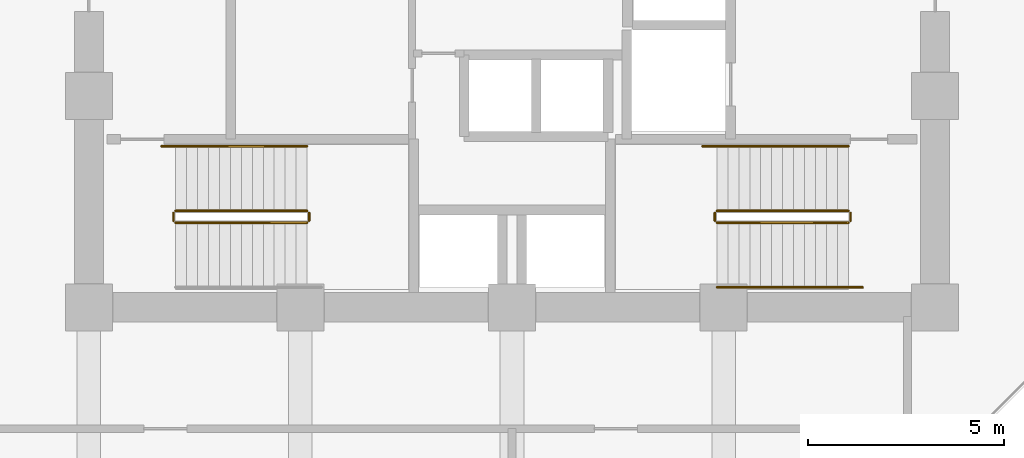
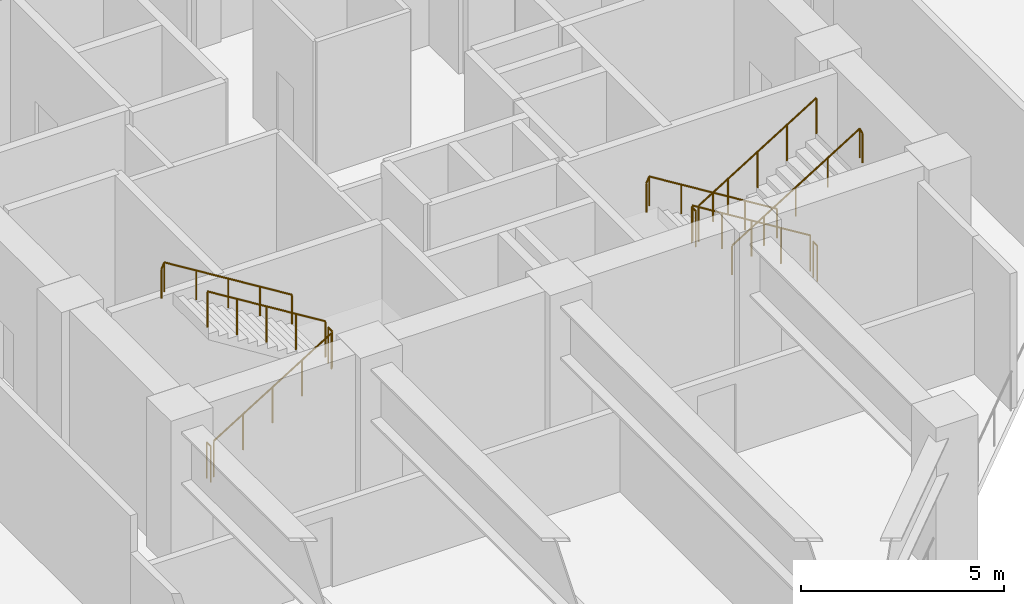
# One storey, part 8 of 12: 11 railings.
"""IFC4 building model written with IfcOpenShell, lengths in metres."""

from ifc_helpers import new_model, si_unit, direction, frame, origin, origin_2d, place, context, subcontext, project, spatial, circle, extrude, material, type_object, element, save


model = new_model("IFC4")

# Units and contexts
model_context = context("Model", 3, precision=1e-05, world=origin(), true_north=direction((0.0, 1.0)))
body_context = subcontext(model_context, "Body", "Model", "MODEL_VIEW")
ifc_project = project(units=[si_unit("LENGTHUNIT", "METRE"), si_unit("AREAUNIT", "SQUARE_METRE"), si_unit("VOLUMEUNIT", "CUBIC_METRE"), si_unit("PLANEANGLEUNIT", "RADIAN"), si_unit("MASSUNIT", "GRAM", prefix="KILO")], contexts=[model_context])

# Site, building, storey
site_placement = place(None, origin())
site = spatial("IfcSite", under=ifc_project, at=site_placement, CompositionType="ELEMENT")
building_placement = place(site_placement, origin())
building = spatial("IfcBuilding", under=site, at=building_placement, Name="Surkhivell Harbour Commons", CompositionType="ELEMENT")
storey_placement = place(building_placement, frame((0.0, 0.0, 78.75)))
storey = spatial("IfcBuildingStorey", under=building, at=storey_placement, Name="L20", CompositionType="ELEMENT", Elevation=78.75)

# Railings
ifc_material_1 = material(Name="Galvanised and painted steel S355 guard rail", Category="steel")
railing_type_1 = type_object("IfcRailingType", Name="RAL-ST-GRD1100", PredefinedType="GUARDRAIL", material=ifc_material_1)
railing_1_placement = place(storey_placement, frame((8.590087890625, -8.340087890625, 0.173095703125)))
element("IfcRailing", 1, at=railing_1_placement, inside=storey, type_object=railing_type_1, Name="L20 ST2 stair guard 1", PredefinedType="GUARDRAIL", context=body_context, shape_type="SweptSolid", body=[
    extrude(circle(Radius=0.02392578125, at=origin_2d()), frame((0.0, 0.0, 1.076171875), z_axis=(-0.850623216509, 0.0, 0.525775754039), x_axis=(0.0, -1.0, 0.0)), (0.0, 0.0, 1.0), 3.9501953125),
    extrude(circle(Radius=0.02099609375, at=origin_2d()), origin(), (0.0, 0.0, 1.0), 1.052001953125),
    extrude(circle(Radius=0.02099609375, at=origin_2d()), frame((-0.840087890625, 0.0, 0.519287109375)), (0.0, 0.0, 1.0), 1.052001953125),
    extrude(circle(Radius=0.02099609375, at=origin_2d()), frame((-1.68017578125, 0.0, 1.03857421875)), (0.0, 0.0, 1.0), 1.052001953125),
    extrude(circle(Radius=0.02099609375, at=origin_2d()), frame((-2.52001953125, 0.0, 1.5576171875)), (0.0, 0.0, 1.0), 1.052001953125),
    extrude(circle(Radius=0.02099609375, at=origin_2d()), frame((-3.360107421875, 0.0, 2.076904296875)), (0.0, 0.0, 1.0), 1.052001953125),
])
railing_2_placement = place(storey_placement, frame((5.179931640625, -8.389892578125, 2.25)))
element("IfcRailing", 2, at=railing_2_placement, inside=storey, type_object=railing_type_1, Name="L20 ST2 stair guard 2", PredefinedType="GUARDRAIL", context=body_context, shape_type="SweptSolid", body=[
    extrude(circle(Radius=0.02392578125, at=origin_2d()), frame((0.0, 0.0, 1.076171875), z_axis=(0.0, -1.0, 0.0), x_axis=(1.0, 0.0, 0.0)), (0.0, 0.0, 1.0), 0.2001953125),
    extrude(circle(Radius=0.02099609375, at=origin_2d()), origin(), (0.0, 0.0, 1.0), 1.052001953125),
    extrude(circle(Radius=0.02099609375, at=origin_2d()), frame((0.0, -0.2001953125, 0.0)), (0.0, 0.0, 1.0), 1.052001953125),
])
railing_3_placement = place(storey_placement, frame((5.22998046875, -8.639892578125, 2.423095703125)))
element("IfcRailing", 3, at=railing_3_placement, inside=storey, type_object=railing_type_1, Name="L20 ST2 stair guard 3", PredefinedType="GUARDRAIL", context=body_context, shape_type="SweptSolid", body=[
    extrude(circle(Radius=0.02392578125, at=origin_2d()), frame((0.0, 0.0, 1.076171875), z_axis=(0.850623216509, 0.0, 0.525775754039), x_axis=(0.0, 1.0, 0.0)), (0.0, 0.0, 1.0), 3.9501953125),
    extrude(circle(Radius=0.02099609375, at=origin_2d()), origin(), (0.0, 0.0, 1.0), 1.052001953125),
    extrude(circle(Radius=0.02099609375, at=origin_2d()), frame((0.840087890625, 0.0, 0.519287109375)), (0.0, 0.0, 1.0), 1.052001953125),
    extrude(circle(Radius=0.02099609375, at=origin_2d()), frame((1.68017578125, 0.0, 1.03857421875)), (0.0, 0.0, 1.0), 1.052001953125),
    extrude(circle(Radius=0.02099609375, at=origin_2d()), frame((2.52001953125, 0.0, 1.5576171875)), (0.0, 0.0, 1.0), 1.052001953125),
    extrude(circle(Radius=0.02099609375, at=origin_2d()), frame((3.360107421875, 0.0, 2.076904296875)), (0.0, 0.0, 1.0), 1.052001953125),
])
railing_4_placement = place(storey_placement, frame((8.639892578125, -8.389892578125, 0.0)))
element("IfcRailing", 4, at=railing_4_placement, inside=storey, type_object=railing_type_1, Name="L20 ST2 stair guard 4", PredefinedType="GUARDRAIL", context=body_context, shape_type="SweptSolid", body=[
    extrude(circle(Radius=0.02392578125, at=origin_2d()), frame((0.0, 0.0, 1.076171875), z_axis=(0.0, -1.0, 0.0), x_axis=(1.0, 0.0, 0.0)), (0.0, 0.0, 1.0), 0.2001953125),
    extrude(circle(Radius=0.02099609375, at=origin_2d()), origin(), (0.0, 0.0, 1.0), 1.052001953125),
    extrude(circle(Radius=0.02099609375, at=origin_2d()), frame((0.0, -0.2001953125, 0.0)), (0.0, 0.0, 1.0), 1.052001953125),
])
railing_5_placement = place(storey_placement, frame((-8.590087890625, -8.639892578125, 0.173095703125)))
element("IfcRailing", 5, at=railing_5_placement, inside=storey, type_object=railing_type_1, Name="L20 ST3 stair guard 1", PredefinedType="GUARDRAIL", context=body_context, shape_type="SweptSolid", body=[
    extrude(circle(Radius=0.02392578125, at=origin_2d()), frame((0.0, 0.0, 1.076171875), z_axis=(0.850623216509, 0.0, 0.525775754039), x_axis=(0.0, 1.0, 0.0)), (0.0, 0.0, 1.0), 3.9501953125),
    extrude(circle(Radius=0.02099609375, at=origin_2d()), origin(), (0.0, 0.0, 1.0), 1.052001953125),
    extrude(circle(Radius=0.02099609375, at=origin_2d()), frame((0.840087890625, 0.0, 0.519287109375)), (0.0, 0.0, 1.0), 1.052001953125),
    extrude(circle(Radius=0.02099609375, at=origin_2d()), frame((1.68017578125, 0.0, 1.03857421875)), (0.0, 0.0, 1.0), 1.052001953125),
    extrude(circle(Radius=0.02099609375, at=origin_2d()), frame((2.52001953125, 0.0, 1.5576171875)), (0.0, 0.0, 1.0), 1.052001953125),
    extrude(circle(Radius=0.02099609375, at=origin_2d()), frame((3.360107421875, 0.0, 2.076904296875)), (0.0, 0.0, 1.0), 1.052001953125),
])
railing_6_placement = place(storey_placement, frame((-5.179931640625, -8.590087890625, 2.25)))
element("IfcRailing", 6, at=railing_6_placement, inside=storey, type_object=railing_type_1, Name="L20 ST3 stair guard 2", PredefinedType="GUARDRAIL", context=body_context, shape_type="SweptSolid", body=[
    extrude(circle(Radius=0.02392578125, at=origin_2d()), frame((0.0, 0.0, 1.076171875), z_axis=(0.0, 1.0, 0.0), x_axis=(-1.0, 0.0, 0.0)), (0.0, 0.0, 1.0), 0.2001953125),
    extrude(circle(Radius=0.02099609375, at=origin_2d()), origin(), (0.0, 0.0, 1.0), 1.052001953125),
    extrude(circle(Radius=0.02099609375, at=origin_2d()), frame((0.0, 0.2001953125, 0.0)), (0.0, 0.0, 1.0), 1.052001953125),
])
railing_7_placement = place(storey_placement, frame((-5.22998046875, -8.340087890625, 2.423095703125)))
element("IfcRailing", 7, at=railing_7_placement, inside=storey, type_object=railing_type_1, Name="L20 ST3 stair guard 3", PredefinedType="GUARDRAIL", context=body_context, shape_type="SweptSolid", body=[
    extrude(circle(Radius=0.02392578125, at=origin_2d()), frame((0.0, 0.0, 1.076171875), z_axis=(-0.850623216509, 0.0, 0.525775754039), x_axis=(0.0, -1.0, 0.0)), (0.0, 0.0, 1.0), 3.9501953125),
    extrude(circle(Radius=0.02099609375, at=origin_2d()), origin(), (0.0, 0.0, 1.0), 1.052001953125),
    extrude(circle(Radius=0.02099609375, at=origin_2d()), frame((-0.840087890625, 0.0, 0.519287109375)), (0.0, 0.0, 1.0), 1.052001953125),
    extrude(circle(Radius=0.02099609375, at=origin_2d()), frame((-1.68017578125, 0.0, 1.03857421875)), (0.0, 0.0, 1.0), 1.052001953125),
    extrude(circle(Radius=0.02099609375, at=origin_2d()), frame((-2.52001953125, 0.0, 1.5576171875)), (0.0, 0.0, 1.0), 1.052001953125),
    extrude(circle(Radius=0.02099609375, at=origin_2d()), frame((-3.360107421875, 0.0, 2.076904296875)), (0.0, 0.0, 1.0), 1.052001953125),
])
railing_8_placement = place(storey_placement, frame((-8.639892578125, -8.590087890625, 0.0)))
element("IfcRailing", 8, at=railing_8_placement, inside=storey, type_object=railing_type_1, Name="L20 ST3 stair guard 4", PredefinedType="GUARDRAIL", context=body_context, shape_type="SweptSolid", body=[
    extrude(circle(Radius=0.02392578125, at=origin_2d()), frame((0.0, 0.0, 1.076171875), z_axis=(0.0, 1.0, 0.0), x_axis=(-1.0, 0.0, 0.0)), (0.0, 0.0, 1.0), 0.2001953125),
    extrude(circle(Radius=0.02099609375, at=origin_2d()), origin(), (0.0, 0.0, 1.0), 1.052001953125),
    extrude(circle(Radius=0.02099609375, at=origin_2d()), frame((0.0, 0.2001953125, 0.0)), (0.0, 0.0, 1.0), 1.052001953125),
])
ifc_material_2 = material(Name="Brushed stainless steel S355 handrail", Category="steel")
railing_type_2 = type_object("IfcRailingType", Name="RAL-ST-HND900", PredefinedType="HANDRAIL", material=ifc_material_2)
railing_9_placement = place(storey_placement, frame((8.590087890625, -6.68994140625, 0.173095703125)))
element("IfcRailing", 9, at=railing_9_placement, inside=storey, type_object=railing_type_2, Name="L20 ST2 stair handrail 1", PredefinedType="HANDRAIL", context=body_context, shape_type="SweptSolid", body=[
    extrude(circle(Radius=0.02392578125, at=origin_2d()), frame((0.0, 0.0, 0.8759765625), z_axis=(-0.850622404505, 0.0, 0.525777067734), x_axis=(0.0, -1.0, 0.0)), (0.0, 0.0, 1.0), 4.279296875),
    extrude(circle(Radius=0.02392578125, at=origin_2d()), frame((-3.64013671875, 0.0, 3.1259765625), z_axis=(-0.418814502111, 0.0, -0.908071810388), x_axis=(0.0, -1.0, 0.0)), (0.0, 0.0, 1.0), 0.190673828125),
    extrude(circle(Radius=0.02099609375, at=origin_2d()), origin(), (0.0, 0.0, 1.0), 0.851806640625),
    extrude(circle(Radius=0.02099609375, at=origin_2d()), frame((-0.91015625, 0.0, 0.5625)), (0.0, 0.0, 1.0), 0.851806640625),
    extrude(circle(Radius=0.02099609375, at=origin_2d()), frame((-1.820068359375, 0.0, 1.125)), (0.0, 0.0, 1.0), 0.851806640625),
    extrude(circle(Radius=0.02099609375, at=origin_2d()), frame((-2.72998046875, 0.0, 1.6875)), (0.0, 0.0, 1.0), 0.851806640625),
    extrude(circle(Radius=0.02099609375, at=origin_2d()), frame((-3.64013671875, 0.0, 2.25)), (0.0, 0.0, 1.0), 0.851806640625),
    extrude(circle(Radius=0.02099609375, at=origin_2d()), frame((-3.719970703125, 0.0, 2.076904296875)), (0.0, 0.0, 1.0), 0.851806640625),
])
railing_10_placement = place(storey_placement, frame((5.22998046875, -10.2900390625, 2.423095703125)))
element("IfcRailing", 10, at=railing_10_placement, inside=storey, type_object=railing_type_2, Name="L20 ST2 stair handrail 2", PredefinedType="HANDRAIL", context=body_context, shape_type="SweptSolid", body=[
    extrude(circle(Radius=0.02392578125, at=origin_2d()), frame((0.0, 0.0, 0.8759765625), z_axis=(0.850622404505, 0.0, 0.525777067734), x_axis=(0.0, 1.0, 0.0)), (0.0, 0.0, 1.0), 4.279296875),
    extrude(circle(Radius=0.02392578125, at=origin_2d()), frame((3.64013671875, 0.0, 3.1259765625), z_axis=(0.418814502111, 0.0, -0.908071810388), x_axis=(0.0, 1.0, 0.0)), (0.0, 0.0, 1.0), 0.190673828125),
    extrude(circle(Radius=0.02099609375, at=origin_2d()), origin(), (0.0, 0.0, 1.0), 0.851806640625),
    extrude(circle(Radius=0.02099609375, at=origin_2d()), frame((0.91015625, 0.0, 0.5625)), (0.0, 0.0, 1.0), 0.851806640625),
    extrude(circle(Radius=0.02099609375, at=origin_2d()), frame((1.820068359375, 0.0, 1.125)), (0.0, 0.0, 1.0), 0.851806640625),
    extrude(circle(Radius=0.02099609375, at=origin_2d()), frame((2.72998046875, 0.0, 1.6875)), (0.0, 0.0, 1.0), 0.851806640625),
    extrude(circle(Radius=0.02099609375, at=origin_2d()), frame((3.64013671875, 0.0, 2.25)), (0.0, 0.0, 1.0), 0.851806640625),
    extrude(circle(Radius=0.02099609375, at=origin_2d()), frame((3.719970703125, 0.0, 2.076904296875)), (0.0, 0.0, 1.0), 0.851806640625),
])
railing_11_placement = place(storey_placement, frame((-5.22998046875, -6.68994140625, 2.423095703125)))
element("IfcRailing", 11, at=railing_11_placement, inside=storey, type_object=railing_type_2, Name="L20 ST3 stair handrail 2", PredefinedType="HANDRAIL", context=body_context, shape_type="SweptSolid", body=[
    extrude(circle(Radius=0.02392578125, at=origin_2d()), frame((0.0, 0.0, 0.8759765625), z_axis=(-0.850622404505, 0.0, 0.525777067734), x_axis=(0.0, -1.0, 0.0)), (0.0, 0.0, 1.0), 4.279296875),
    extrude(circle(Radius=0.02392578125, at=origin_2d()), frame((-3.64013671875, 0.0, 3.1259765625), z_axis=(-0.418814502111, 0.0, -0.908071810388), x_axis=(0.0, -1.0, 0.0)), (0.0, 0.0, 1.0), 0.190673828125),
    extrude(circle(Radius=0.02099609375, at=origin_2d()), origin(), (0.0, 0.0, 1.0), 0.851806640625),
    extrude(circle(Radius=0.02099609375, at=origin_2d()), frame((-0.91015625, 0.0, 0.5625)), (0.0, 0.0, 1.0), 0.851806640625),
    extrude(circle(Radius=0.02099609375, at=origin_2d()), frame((-1.820068359375, 0.0, 1.125)), (0.0, 0.0, 1.0), 0.851806640625),
    extrude(circle(Radius=0.02099609375, at=origin_2d()), frame((-2.72998046875, 0.0, 1.6875)), (0.0, 0.0, 1.0), 0.851806640625),
    extrude(circle(Radius=0.02099609375, at=origin_2d()), frame((-3.64013671875, 0.0, 2.25)), (0.0, 0.0, 1.0), 0.851806640625),
    extrude(circle(Radius=0.02099609375, at=origin_2d()), frame((-3.719970703125, 0.0, 2.076904296875)), (0.0, 0.0, 1.0), 0.851806640625),
])

save(model, "model.ifc")
